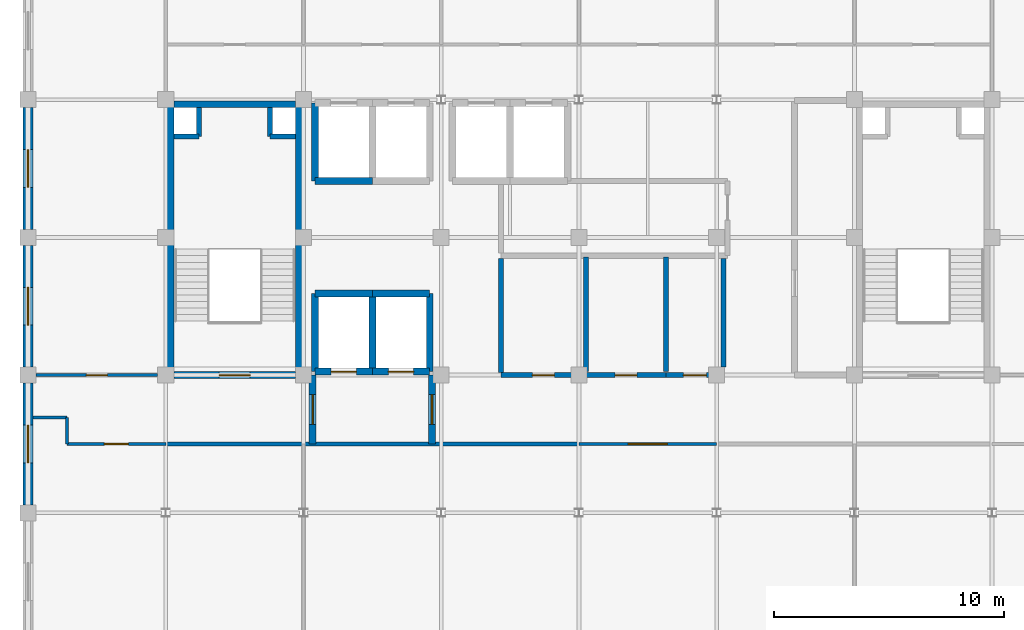
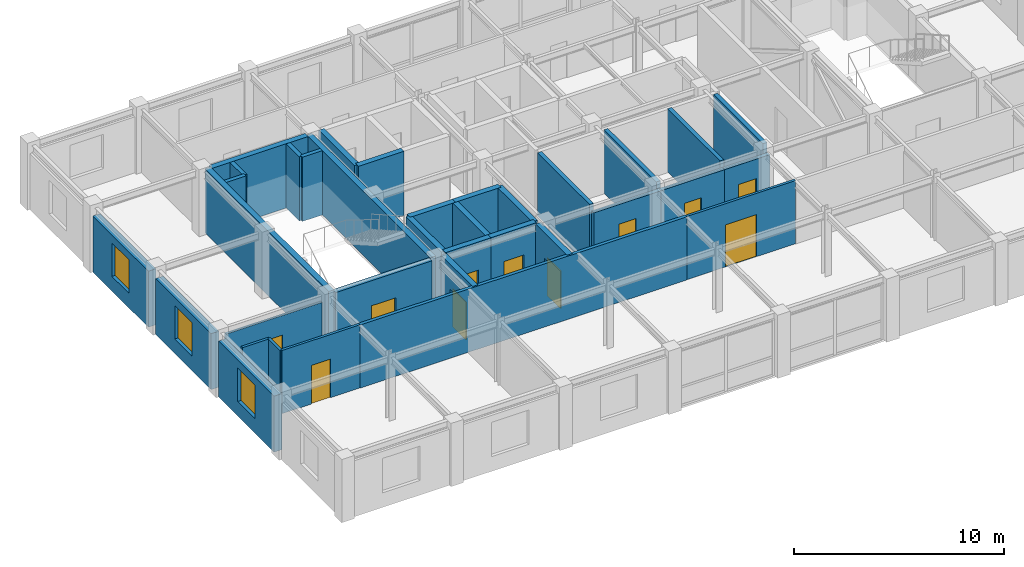
# One storey, part 9 of 13: 35 walls, 11 doors, 3 windows, 14 openings.
"""IFC4 building model written with IfcOpenShell, lengths in metres."""

from ifc_helpers import new_model, si_unit, direction, frame, frame_2d, origin, place, context, subcontext, project, spatial, rectangle, extrude, material, layer, layer_set, type_object, element, fill, save


model = new_model("IFC4")

# Units and contexts
model_context = context("Model", 3, precision=1e-05, world=origin(), true_north=direction((0.0, 1.0)))
body_context = subcontext(model_context, "Body", "Model", "MODEL_VIEW")
ifc_project = project(units=[si_unit("LENGTHUNIT", "METRE"), si_unit("AREAUNIT", "SQUARE_METRE"), si_unit("VOLUMEUNIT", "CUBIC_METRE"), si_unit("PLANEANGLEUNIT", "RADIAN"), si_unit("MASSUNIT", "GRAM", prefix="KILO")], contexts=[model_context])

# Site, building, storey
site_placement = place(None, origin())
site = spatial("IfcSite", under=ifc_project, at=site_placement, CompositionType="ELEMENT")
building_placement = place(site_placement, origin())
building = spatial("IfcBuilding", under=site, at=building_placement, Name="Zlatovratsky Civic Hall", CompositionType="ELEMENT")
storey_placement = place(building_placement, frame((0.0, 0.0, 48.300048828125)))
storey = spatial("IfcBuildingStorey", under=building, at=storey_placement, Name="L12", CompositionType="ELEMENT", Elevation=48.300048828125)

# Wall
ifc_material_1 = material(Name="Acoustic ceramic blockwork", Category="masonry")
ifc_layer_1 = layer(ifc_material_1, 0.179931640625)
ifc_layer_set_1 = layer_set([ifc_layer_1], Name="Acoustic ceramic blockwork")
wall_type_1 = type_object("IfcWallType", Name="Wall_AcousticChamberPartition_180", PredefinedType="PARTITIONING", material=ifc_layer_set_1)
wall_1_placement = place(storey_placement, frame((66.0, 81.0, 0.0), z_axis=(0.0, 0.0, 1.0), x_axis=(1.0, 0.0, 0.0)))
element("IfcWall", 1, at=wall_1_placement, inside=storey, type_object=wall_type_1, Name="WL-6598", PredefinedType="PARTITIONING", context=body_context, shape_type="SweptSolid", body=[
    extrude(rectangle(XDim=18.0, YDim=0.179931640625, at=frame_2d((9.0, 0.0))), origin(), (0.0, 0.0, 1.0), 3.679931640625),
])

# Wall, opening, door
ifc_material_2 = material(Name="Fire-rated gypsum board framing", Category="gypsum")
ifc_layer_2 = layer(ifc_material_2, 0.139892578125)
ifc_layer_set_2 = layer_set([ifc_layer_2], Name="Fire-rated gypsum board framing")
wall_type_2 = type_object("IfcWallType", Name="Wall_OfficePartition_140", PredefinedType="PARTITIONING", material=ifc_layer_set_2)
wall_2_placement = place(storey_placement, frame((61.699951171875, 81.0, 0.0), z_axis=(0.0, 0.0, 1.0), x_axis=(1.0, 0.0, 0.0)))
wall_2 = element("IfcWall", 2, at=wall_2_placement, inside=storey, type_object=wall_type_2, Name="WL-6576", PredefinedType="PARTITIONING", context=body_context, shape_type="SweptSolid", body=[
    extrude(rectangle(XDim=4.300048828125, YDim=0.139892578125, at=frame_2d((2.14990234375, 0.0))), origin(), (0.0, 0.0, 1.0), 3.679931640625),
])
opening_1_placement = place(wall_2_placement, frame((1.625, 0.0, 0.0)))
opening_1 = element("IfcOpeningElement", 3, at=opening_1_placement, cuts=wall_2, Name="Opening D-24", PredefinedType="OPENING", context=body_context, shape_type="SweptSolid", body=[
    extrude(rectangle(XDim=1.050048828125, YDim=2.25, at=frame_2d((0.52490234375, 1.125))), frame((0.0, 0.0849609375, 0.0), z_axis=(0.0, -1.0, 0.0), x_axis=(1.0, 0.0, 0.0)), (0.0, 0.0, 1.0), 0.169677734375),
])
ifc_material_3 = material(Name="Solid oak joinery in steel frame", Category="steel")
door_type_1 = type_object("IfcDoorType", Name="Door_DirectorateOffice_1050x2250", OperationType="NOTDEFINED", PredefinedType="DOOR", material=ifc_material_3)
door_1_placement = place(opening_1_placement, origin())
door_1 = element("IfcDoor", 4, at=door_1_placement, inside=storey, type_object=door_type_1, Name="DR-5474", OperationType="SINGLE_SWING_LEFT", OverallHeight=2.25, OverallWidth=1.050048828125, PredefinedType="DOOR", context=body_context, shape_type="SweptSolid", body=[
    extrude(rectangle(XDim=1.050048828125, YDim=2.25, at=frame_2d((0.52490234375, 1.125))), frame((0.0, 0.02490234375, 0.0), z_axis=(0.0, -1.0, 0.0), x_axis=(1.0, 0.0, 0.0)), (0.0, 0.0, 1.0), 0.050048828125),
])
fill(opening_1, door_1)

wall_3_placement = place(storey_placement, frame((84.0, 81.0, 0.0), z_axis=(0.0, 0.0, 1.0), x_axis=(1.0, 0.0, 0.0)))
wall_3 = element("IfcWall", 5, at=wall_3_placement, inside=storey, type_object=wall_type_2, Name="WL-6577", PredefinedType="PARTITIONING", context=body_context, shape_type="SweptSolid", body=[
    extrude(rectangle(XDim=6.0, YDim=0.139892578125, at=frame_2d((3.0, 0.0))), origin(), (0.0, 0.0, 1.0), 3.679931640625),
])
opening_2_placement = place(wall_3_placement, frame((2.14990234375, 0.0, 0.0)))
opening_2 = element("IfcOpeningElement", 6, at=opening_2_placement, cuts=wall_3, Name="Opening D-26", PredefinedType="OPENING", context=body_context, shape_type="SweptSolid", body=[
    extrude(rectangle(XDim=1.699951171875, YDim=2.449951171875, at=frame_2d((0.85009765625, 1.22509765625))), frame((0.0, 0.0849609375, 0.0), z_axis=(0.0, -1.0, 0.0), x_axis=(1.0, 0.0, 0.0)), (0.0, 0.0, 1.0), 0.169677734375),
])
door_type_2 = type_object("IfcDoorType", Name="Door_CommissionBoardroom_1700x2450", OperationType="DOUBLE_DOOR_SINGLE_SWING", PredefinedType="DOOR", material=ifc_material_3)
door_2_placement = place(opening_2_placement, origin())
door_2 = element("IfcDoor", 7, at=door_2_placement, inside=storey, type_object=door_type_2, Name="DR-5475", OperationType="DOUBLE_DOOR_SINGLE_SWING", OverallHeight=2.449951171875, OverallWidth=1.699951171875, PredefinedType="DOOR", context=body_context, shape_type="SweptSolid", body=[
    extrude(rectangle(XDim=1.699951171875, YDim=2.449951171875, at=frame_2d((0.85009765625, 1.22509765625))), frame((0.0, 0.02490234375, 0.0), z_axis=(0.0, -1.0, 0.0), x_axis=(1.0, 0.0, 0.0)), (0.0, 0.0, 1.0), 0.050048828125),
])
fill(opening_2, door_2)

wall_4_placement = place(storey_placement, frame((60.35009765625, 84.0, 0.0), z_axis=(0.0, 0.0, 1.0), x_axis=(1.0, 0.0, 0.0)))
wall_4 = element("IfcWall", 8, at=wall_4_placement, inside=storey, type_object=wall_type_2, Name="WL-6579", PredefinedType="PARTITIONING", context=body_context, shape_type="SweptSolid", body=[
    extrude(rectangle(XDim=5.2998046875, YDim=0.139892578125, at=frame_2d((2.64990234375, 0.0))), origin(), (0.0, 0.0, 1.0), 3.287841796875),
])
opening_3_placement = place(wall_4_placement, frame((2.18994140625, 0.0, 0.0)))
opening_3 = element("IfcOpeningElement", 9, at=opening_3_placement, cuts=wall_4, Name="Opening D-23", PredefinedType="OPENING", context=body_context, shape_type="SweptSolid", body=[
    extrude(rectangle(XDim=0.919921875, YDim=2.14990234375, at=frame_2d((0.4599609375, 1.074951171875))), frame((0.0, 0.0849609375, 0.0), z_axis=(0.0, -1.0, 0.0), x_axis=(1.0, 0.0, 0.0)), (0.0, 0.0, 1.0), 0.169677734375),
])
door_type_3 = type_object("IfcDoorType", Name="Door_OfficeStandard_920x2150", OperationType="NOTDEFINED", PredefinedType="DOOR", material=ifc_material_3)
door_3_placement = place(opening_3_placement, origin())
door_3 = element("IfcDoor", 10, at=door_3_placement, inside=storey, type_object=door_type_3, Name="DR-5477", OperationType="SINGLE_SWING_LEFT", OverallHeight=2.14990234375, OverallWidth=0.919921875, PredefinedType="DOOR", context=body_context, shape_type="SweptSolid", body=[
    extrude(rectangle(XDim=0.919921875, YDim=2.14990234375, at=frame_2d((0.4599609375, 1.074951171875))), frame((0.0, 0.02490234375, 0.0), z_axis=(0.0, -1.0, 0.0), x_axis=(1.0, 0.0, 0.0)), (0.0, 0.0, 1.0), 0.050048828125),
])
fill(opening_3, door_3)

# Walls
wall_5_placement = place(storey_placement, frame((61.699951171875, 81.0, 0.0), z_axis=(0.0, 0.0, 1.0), x_axis=(0.0, 1.0, 0.0)))
element("IfcWall", 11, at=wall_5_placement, inside=storey, type_object=wall_type_2, Name="WL-6600", PredefinedType="PARTITIONING", context=body_context, shape_type="SweptSolid", body=[
    extrude(rectangle(XDim=1.14990234375, YDim=0.139892578125, at=frame_2d((0.574951171875, 0.0))), origin(), (0.0, 0.0, 1.0), 3.679931640625),
])
wall_6_placement = place(storey_placement, frame((61.699951171875, 82.14990234375, 0.0), z_axis=(0.0, 0.0, 1.0), x_axis=(-1.0, 0.0, 0.0)))
element("IfcWall", 12, at=wall_6_placement, inside=storey, type_object=wall_type_2, Name="WL-6601", PredefinedType="PARTITIONING", context=body_context, shape_type="SweptSolid", body=[
    extrude(rectangle(XDim=1.489990234375, YDim=0.139892578125, at=frame_2d((0.7451171875, 0.0))), origin(), (0.0, 0.0, 1.0), 3.679931640625),
])
ifc_layer_3 = layer(ifc_material_1, 0.219970703125)
ifc_layer_set_3 = layer_set([ifc_layer_3], Name="Acoustic ceramic blockwork")
wall_type_3 = type_object("IfcWallType", Name="Wall_SanitaryWetCore_220", PredefinedType="PARTITIONING", material=ifc_layer_set_3)
wall_7_placement = place(storey_placement, frame((67.449951171875, 94.39990234375, 0.0), z_axis=(0.0, 0.0, 1.0), x_axis=(0.0, 1.0, 0.0)))
element("IfcWall", 13, at=wall_7_placement, inside=storey, type_object=wall_type_3, Name="WL-5101", PredefinedType="PARTITIONING", context=body_context, shape_type="SweptSolid", body=[
    extrude(rectangle(XDim=1.25, YDim=0.219970703125, at=frame_2d((0.625, 0.0))), origin(), (0.0, 0.0, 1.0), 3.739990234375),
])
wall_8_placement = place(storey_placement, frame((66.35009765625, 94.39990234375, 0.0), z_axis=(0.0, 0.0, 1.0), x_axis=(1.0, 0.0, 0.0)))
element("IfcWall", 14, at=wall_8_placement, inside=storey, type_object=wall_type_3, Name="WL-5102", PredefinedType="PARTITIONING", context=body_context, shape_type="SweptSolid", body=[
    extrude(rectangle(XDim=1.099853515625, YDim=0.219970703125, at=frame_2d((0.5498046875, 0.0))), origin(), (0.0, 0.0, 1.0), 3.739990234375),
])
wall_9_placement = place(storey_placement, frame((70.550048828125, 94.39990234375, 0.0), z_axis=(0.0, 0.0, 1.0), x_axis=(0.0, 1.0, 0.0)))
element("IfcWall", 15, at=wall_9_placement, inside=storey, type_object=wall_type_3, Name="WL-5103", PredefinedType="PARTITIONING", context=body_context, shape_type="SweptSolid", body=[
    extrude(rectangle(XDim=1.25, YDim=0.219970703125, at=frame_2d((0.625, 0.0))), origin(), (0.0, 0.0, 1.0), 3.739990234375),
])
wall_10_placement = place(storey_placement, frame((70.550048828125, 94.39990234375, 0.0), z_axis=(0.0, 0.0, 1.0), x_axis=(1.0, 0.0, 0.0)))
element("IfcWall", 16, at=wall_10_placement, inside=storey, type_object=wall_type_3, Name="WL-5104", PredefinedType="PARTITIONING", context=body_context, shape_type="SweptSolid", body=[
    extrude(rectangle(XDim=1.099853515625, YDim=0.219970703125, at=frame_2d((0.5498046875, 0.0))), origin(), (0.0, 0.0, 1.0), 3.739990234375),
])

# Wall, opening, door
wall_11_placement = place(storey_placement, frame((80.60009765625, 84.0, 0.0), z_axis=(0.0, 0.0, 1.0), x_axis=(1.0, 0.0, 0.0)))
wall_11 = element("IfcWall", 17, at=wall_11_placement, inside=storey, type_object=wall_type_3, Name="WL-6569", PredefinedType="PARTITIONING", context=body_context, shape_type="SweptSolid", body=[
    extrude(rectangle(XDim=3.699951171875, YDim=0.219970703125, at=frame_2d((1.85009765625, 0.0))), origin(), (0.0, 0.0, 1.0), 3.287841796875),
])
opening_4_placement = place(wall_11_placement, frame((1.375, 0.0, 0.0)))
opening_4 = element("IfcOpeningElement", 18, at=opening_4_placement, cuts=wall_11, Name="Opening D-21", PredefinedType="OPENING", context=body_context, shape_type="SweptSolid", body=[
    extrude(rectangle(XDim=0.949951171875, YDim=2.14990234375, at=frame_2d((0.47509765625, 1.074951171875))), frame((0.0, 0.125, 0.0), z_axis=(0.0, -1.0, 0.0), x_axis=(1.0, 0.0, 0.0)), (0.0, 0.0, 1.0), 0.249755859375),
])
door_type_4 = type_object("IfcDoorType", Name="Door_MensWC_950x2150", OperationType="NOTDEFINED", PredefinedType="DOOR", material=ifc_material_3)
door_4_placement = place(opening_4_placement, origin())
door_4 = element("IfcDoor", 19, at=door_4_placement, inside=storey, type_object=door_type_4, Name="DR-5470", OperationType="SINGLE_SWING_LEFT", OverallHeight=2.14990234375, OverallWidth=0.949951171875, PredefinedType="DOOR", context=body_context, shape_type="SweptSolid", body=[
    extrude(rectangle(XDim=0.949951171875, YDim=2.14990234375, at=frame_2d((0.47509765625, 1.074951171875))), frame((0.0, 0.02490234375, 0.0), z_axis=(0.0, -1.0, 0.0), x_axis=(1.0, 0.0, 0.0)), (0.0, 0.0, 1.0), 0.050048828125),
])
fill(opening_4, door_4)

wall_12_placement = place(storey_placement, frame((84.300048828125, 84.0, 0.0), z_axis=(0.0, 0.0, 1.0), x_axis=(1.0, 0.0, 0.0)))
wall_12 = element("IfcWall", 20, at=wall_12_placement, inside=storey, type_object=wall_type_3, Name="WL-6570", PredefinedType="PARTITIONING", context=body_context, shape_type="SweptSolid", body=[
    extrude(rectangle(XDim=3.5, YDim=0.219970703125, at=frame_2d((1.75, 0.0))), origin(), (0.0, 0.0, 1.0), 3.287841796875),
])
opening_5_placement = place(wall_12_placement, frame((1.27490234375, 0.0, 0.0)))
opening_5 = element("IfcOpeningElement", 21, at=opening_5_placement, cuts=wall_12, Name="Opening D-22", PredefinedType="OPENING", context=body_context, shape_type="SweptSolid", body=[
    extrude(rectangle(XDim=0.949951171875, YDim=2.10009765625, at=frame_2d((0.47509765625, 1.050048828125))), frame((0.0, 0.125, 0.0), z_axis=(0.0, -1.0, 0.0), x_axis=(1.0, 0.0, 0.0)), (0.0, 0.0, 1.0), 0.249755859375),
])
door_type_5 = type_object("IfcDoorType", Name="Door_WomensWC_950x2100", OperationType="NOTDEFINED", PredefinedType="DOOR", material=ifc_material_3)
door_5_placement = place(opening_5_placement, origin())
door_5 = element("IfcDoor", 22, at=door_5_placement, inside=storey, type_object=door_type_5, Name="DR-5471", OperationType="SINGLE_SWING_RIGHT", OverallHeight=2.10009765625, OverallWidth=0.949951171875, PredefinedType="DOOR", context=body_context, shape_type="SweptSolid", body=[
    extrude(rectangle(XDim=0.949951171875, YDim=2.10009765625, at=frame_2d((0.47509765625, 1.050048828125))), frame((0.0, 0.02490234375, 0.0), z_axis=(0.0, -1.0, 0.0), x_axis=(1.0, 0.0, 0.0)), (0.0, 0.0, 1.0), 0.050048828125),
])
fill(opening_5, door_5)

wall_13_placement = place(storey_placement, frame((87.800048828125, 84.0, 0.0), z_axis=(0.0, 0.0, 1.0), x_axis=(1.0, 0.0, 0.0)))
wall_13 = element("IfcWall", 23, at=wall_13_placement, inside=storey, type_object=wall_type_3, Name="WL-6571", PredefinedType="PARTITIONING", context=body_context, shape_type="SweptSolid", body=[
    extrude(rectangle(XDim=2.5, YDim=0.219970703125, at=frame_2d((1.25, 0.0))), origin(), (0.0, 0.0, 1.0), 3.287841796875),
])
opening_6_placement = place(wall_13_placement, frame((0.75, 0.0, 0.0)))
opening_6 = element("IfcOpeningElement", 24, at=opening_6_placement, cuts=wall_13, Name="Opening D-20", PredefinedType="OPENING", context=body_context, shape_type="SweptSolid", body=[
    extrude(rectangle(XDim=1.0, YDim=2.14990234375, at=frame_2d((0.5, 1.074951171875))), frame((0.0, 0.125, 0.0), z_axis=(0.0, -1.0, 0.0), x_axis=(1.0, 0.0, 0.0)), (0.0, 0.0, 1.0), 0.249755859375),
])
door_type_6 = type_object("IfcDoorType", Name="Door_AccessibleWC_1000x2150", OperationType="NOTDEFINED", PredefinedType="DOOR", material=ifc_material_3)
door_6_placement = place(opening_6_placement, origin())
door_6 = element("IfcDoor", 25, at=door_6_placement, inside=storey, type_object=door_type_6, Name="DR-5472", OperationType="SINGLE_SWING_LEFT", OverallHeight=2.14990234375, OverallWidth=1.0, PredefinedType="DOOR", context=body_context, shape_type="SweptSolid", body=[
    extrude(rectangle(XDim=1.0, YDim=2.14990234375, at=frame_2d((0.5, 1.074951171875))), frame((0.0, 0.02490234375, 0.0), z_axis=(0.0, -1.0, 0.0), x_axis=(1.0, 0.0, 0.0)), (0.0, 0.0, 1.0), 0.050048828125),
])
fill(opening_6, door_6)

# Walls
for number, where, z_axis, x_axis, name in (
    (26, (84.300048828125, 84.14990234375, 0.0), (0.0, 0.0, 1.0), (0.0, 1.0, 0.0), "WL-6572"),
    (27, (87.800048828125, 84.14990234375, 0.0), (0.0, 0.0, 1.0), (0.0, 1.0, 0.0), "WL-6573"),
):
    element("IfcWall", number, at=place(storey_placement, frame(where, z_axis=z_axis, x_axis=x_axis)), inside=storey, type_object=wall_type_3, Name=name, PredefinedType="PARTITIONING", context=body_context, shape_type="SweptSolid", body=[
        extrude(rectangle(XDim=5.0, YDim=0.219970703125, at=frame_2d((2.5, 0.0))), origin(), (0.0, 0.0, 1.0), 3.679931640625),
    ])
wall_14_placement = place(storey_placement, frame((80.60009765625, 84.110107421875, 0.0), z_axis=(0.0, 0.0, 1.0), x_axis=(0.0, 1.0, 0.0)))
element("IfcWall", 28, at=wall_14_placement, inside=storey, type_object=wall_type_3, Name="WL-6594", PredefinedType="PARTITIONING", context=body_context, shape_type="SweptSolid", body=[
    extrude(rectangle(XDim=4.97998046875, YDim=0.219970703125, at=frame_2d((2.489990234375, 0.0))), origin(), (0.0, 0.0, 1.0), 3.679931640625),
])
wall_15_placement = place(storey_placement, frame((90.300048828125, 84.360107421875, 0.0), z_axis=(0.0, 0.0, 1.0), x_axis=(0.0, 1.0, 0.0)))
element("IfcWall", 29, at=wall_15_placement, inside=storey, type_object=wall_type_3, Name="WL-6595", PredefinedType="PARTITIONING", context=body_context, shape_type="SweptSolid", body=[
    extrude(rectangle(XDim=4.72998046875, YDim=0.219970703125, at=frame_2d((2.364990234375, 0.0))), origin(), (0.0, 0.0, 1.0), 3.679931640625),
])

# Wall, opening, door
ifc_material_4 = material(Name="Concrete C35/45 (B40)", Category="concrete")
ifc_layer_4 = layer(ifc_material_4, 0.300048828125)
ifc_layer_set_4 = layer_set([ifc_layer_4], Name="Concrete C35/45 (B40)")
wall_type_4 = type_object("IfcWallType", Name="Wall_StairAndLiftShaft_300", PredefinedType="SHEAR", material=ifc_layer_set_4)
wall_16_placement = place(storey_placement, frame((66.35009765625, 84.0, 0.0), z_axis=(0.0, 0.0, 1.0), x_axis=(1.0, 0.0, 0.0)))
wall_16 = element("IfcWall", 30, at=wall_16_placement, inside=storey, type_object=wall_type_4, Name="WL-5097", PredefinedType="SHEAR", context=body_context, shape_type="SweptSolid", body=[
    extrude(rectangle(XDim=5.2998046875, YDim=0.300048828125, at=frame_2d((2.64990234375, 0.0))), origin(), (0.0, 0.0, 1.0), 3.659912109375),
])
opening_7_placement = place(wall_16_placement, frame((1.97509765625, 0.0, 0.0)))
opening_7 = element("IfcOpeningElement", 31, at=opening_7_placement, cuts=wall_16, Name="Opening D-17", PredefinedType="OPENING", context=body_context, shape_type="SweptSolid", body=[
    extrude(rectangle(XDim=1.35009765625, YDim=2.199951171875, at=frame_2d((0.675048828125, 1.10009765625))), frame((0.0, 0.1650390625, 0.0), z_axis=(0.0, -1.0, 0.0), x_axis=(1.0, 0.0, 0.0)), (0.0, 0.0, 1.0), 0.329833984375),
])
ifc_material_5 = material(Name="Insulated painted fire-rated steel leaf", Category="steel")
door_type_7 = type_object("IfcDoorType", Name="Door_StairwellFireTower_1350x2200", OperationType="NOTDEFINED", PredefinedType="DOOR", material=ifc_material_5)
door_7_placement = place(opening_7_placement, origin())
door_7 = element("IfcDoor", 32, at=door_7_placement, inside=storey, type_object=door_type_7, Name="DR-5013", OperationType="SINGLE_SWING_LEFT", OverallHeight=2.199951171875, OverallWidth=1.35009765625, PredefinedType="DOOR", context=body_context, shape_type="SweptSolid", body=[
    extrude(rectangle(XDim=1.35009765625, YDim=2.199951171875, at=frame_2d((0.675048828125, 1.10009765625))), frame((0.0, 0.02490234375, 0.0), z_axis=(0.0, -1.0, 0.0), x_axis=(1.0, 0.0, 0.0)), (0.0, 0.0, 1.0), 0.050048828125),
])
fill(opening_7, door_7)

# Walls
wall_17_placement = place(storey_placement, frame((66.35009765625, 95.800048828125, 0.0), z_axis=(0.0, 0.0, 1.0), x_axis=(1.0, 0.0, 0.0)))
element("IfcWall", 33, at=wall_17_placement, inside=storey, type_object=wall_type_4, Name="WL-5098", PredefinedType="SHEAR", context=body_context, shape_type="SweptSolid", body=[
    extrude(rectangle(XDim=5.2998046875, YDim=0.300048828125, at=frame_2d((2.64990234375, 0.0))), origin(), (0.0, 0.0, 1.0), 3.739990234375),
])
for number, where, z_axis, x_axis, name in (
    (34, (66.199951171875, 84.0, 0.0), (0.0, 0.0, 1.0), (0.0, 1.0, 0.0), "WL-5099"),
    (35, (71.800048828125, 84.0, 0.0), (0.0, 0.0, 1.0), (0.0, 1.0, 0.0), "WL-5100"),
):
    element("IfcWall", number, at=place(storey_placement, frame(where, z_axis=z_axis, x_axis=x_axis)), inside=storey, type_object=wall_type_4, Name=name, PredefinedType="SHEAR", context=body_context, shape_type="SweptSolid", body=[
        extrude(rectangle(XDim=11.800048828125, YDim=0.300048828125, at=frame_2d((5.89990234375, 0.0))), origin(), (0.0, 0.0, 1.0), 3.739990234375),
    ])

# Wall, opening, door
wall_18_placement = place(storey_placement, frame((72.5, 84.14990234375, 0.0), z_axis=(0.0, 0.0, 1.0), x_axis=(1.0, 0.0, 0.0)))
wall_18 = element("IfcWall", 36, at=wall_18_placement, inside=storey, type_object=wall_type_4, Name="WL-5529", PredefinedType="SHEAR", context=body_context, shape_type="SweptSolid", body=[
    extrude(rectangle(XDim=2.5, YDim=0.300048828125, at=frame_2d((1.25, 0.0))), origin(), (0.0, 0.0, 1.0), 3.739990234375),
])
opening_8_placement = place(wall_18_placement, frame((0.699951171875, 0.0, 0.0)))
opening_8 = element("IfcOpeningElement", 37, at=opening_8_placement, cuts=wall_18, Name="Opening LD-01", PredefinedType="OPENING", context=body_context, shape_type="SweptSolid", body=[
    extrude(rectangle(XDim=1.10009765625, YDim=2.10009765625, at=frame_2d((0.550048828125, 1.050048828125))), frame((0.0, 0.1650390625, 0.0), z_axis=(0.0, -1.0, 0.0), x_axis=(1.0, 0.0, 0.0)), (0.0, 0.0, 1.0), 0.329833984375),
])
ifc_material_6 = material(Name="Brushed stainless steel AISI 304", Category="steel")
door_type_8 = type_object("IfcDoorType", Name="Door_LiftLandingFire_1100x2100", OperationType="DOUBLE_DOOR_SLIDING", PredefinedType="DOOR", material=ifc_material_6)
door_8_placement = place(opening_8_placement, origin())
door_8 = element("IfcDoor", 38, at=door_8_placement, inside=storey, type_object=door_type_8, Name="Lift landing door LD-5071", OperationType="DOUBLE_DOOR_SLIDING", OverallHeight=2.10009765625, OverallWidth=1.10009765625, PredefinedType="DOOR", context=body_context, shape_type="SweptSolid", body=[
    extrude(rectangle(XDim=1.10009765625, YDim=2.10009765625, at=frame_2d((0.550048828125, 1.050048828125))), frame((0.0, 0.02490234375, 0.0), z_axis=(0.0, -1.0, 0.0), x_axis=(1.0, 0.0, 0.0)), (0.0, 0.0, 1.0), 0.050048828125),
])
fill(opening_8, door_8)

# Walls
wall_19_placement = place(storey_placement, frame((72.5, 87.550048828125, 0.0), z_axis=(0.0, 0.0, 1.0), x_axis=(1.0, 0.0, 0.0)))
element("IfcWall", 39, at=wall_19_placement, inside=storey, type_object=wall_type_4, Name="WL-5530", PredefinedType="SHEAR", context=body_context, shape_type="SweptSolid", body=[
    extrude(rectangle(XDim=2.5, YDim=0.300048828125, at=frame_2d((1.25, 0.0))), origin(), (0.0, 0.0, 1.0), 3.739990234375),
])
wall_20_placement = place(storey_placement, frame((72.5, 84.14990234375, 0.0), z_axis=(0.0, 0.0, 1.0), x_axis=(0.0, 1.0, 0.0)))
element("IfcWall", 40, at=wall_20_placement, inside=storey, type_object=wall_type_4, Name="WL-5531", PredefinedType="SHEAR", context=body_context, shape_type="SweptSolid", body=[
    extrude(rectangle(XDim=3.400146484375, YDim=0.300048828125, at=frame_2d((1.7001953125, 0.0))), origin(), (0.0, 0.0, 1.0), 3.739990234375),
])

# Wall, opening, door
wall_21_placement = place(storey_placement, frame((75.0, 84.14990234375, 0.0), z_axis=(0.0, 0.0, 1.0), x_axis=(1.0, 0.0, 0.0)))
wall_21 = element("IfcWall", 41, at=wall_21_placement, inside=storey, type_object=wall_type_4, Name="WL-5598", PredefinedType="SHEAR", context=body_context, shape_type="SweptSolid", body=[
    extrude(rectangle(XDim=2.5, YDim=0.300048828125, at=frame_2d((1.25, 0.0))), origin(), (0.0, 0.0, 1.0), 3.739990234375),
])
opening_9_placement = place(wall_21_placement, frame((0.699951171875, 0.0, 0.0)))
opening_9 = element("IfcOpeningElement", 42, at=opening_9_placement, cuts=wall_21, Name="Opening LD-01", PredefinedType="OPENING", context=body_context, shape_type="SweptSolid", body=[
    extrude(rectangle(XDim=1.10009765625, YDim=2.10009765625, at=frame_2d((0.550048828125, 1.050048828125))), frame((0.0, 0.1650390625, 0.0), z_axis=(0.0, -1.0, 0.0), x_axis=(1.0, 0.0, 0.0)), (0.0, 0.0, 1.0), 0.329833984375),
])
door_9_placement = place(opening_9_placement, origin())
door_9 = element("IfcDoor", 43, at=door_9_placement, inside=storey, type_object=door_type_8, Name="Lift landing door LD-5090", OperationType="DOUBLE_DOOR_SLIDING", OverallHeight=2.10009765625, OverallWidth=1.10009765625, PredefinedType="DOOR", context=body_context, shape_type="SweptSolid", body=[
    extrude(rectangle(XDim=1.10009765625, YDim=2.10009765625, at=frame_2d((0.550048828125, 1.050048828125))), frame((0.0, 0.02490234375, 0.0), z_axis=(0.0, -1.0, 0.0), x_axis=(1.0, 0.0, 0.0)), (0.0, 0.0, 1.0), 0.050048828125),
])
fill(opening_9, door_9)

# Walls
wall_22_placement = place(storey_placement, frame((75.0, 87.550048828125, 0.0), z_axis=(0.0, 0.0, 1.0), x_axis=(1.0, 0.0, 0.0)))
element("IfcWall", 44, at=wall_22_placement, inside=storey, type_object=wall_type_4, Name="WL-5599", PredefinedType="SHEAR", context=body_context, shape_type="SweptSolid", body=[
    extrude(rectangle(XDim=2.5, YDim=0.300048828125, at=frame_2d((1.25, 0.0))), origin(), (0.0, 0.0, 1.0), 3.739990234375),
])
for number, where, z_axis, x_axis, name in (
    (45, (75.0, 84.14990234375, 0.0), (0.0, 0.0, 1.0), (0.0, 1.0, 0.0), "WL-5600"),
    (46, (77.5, 84.14990234375, 0.0), (0.0, 0.0, 1.0), (0.0, 1.0, 0.0), "WL-5601"),
):
    element("IfcWall", number, at=place(storey_placement, frame(where, z_axis=z_axis, x_axis=x_axis)), inside=storey, type_object=wall_type_4, Name=name, PredefinedType="SHEAR", context=body_context, shape_type="SweptSolid", body=[
        extrude(rectangle(XDim=3.400146484375, YDim=0.300048828125, at=frame_2d((1.7001953125, 0.0))), origin(), (0.0, 0.0, 1.0), 3.739990234375),
    ])
wall_23_placement = place(storey_placement, frame((72.5, 92.449951171875, 0.0), z_axis=(0.0, 0.0, 1.0), x_axis=(1.0, 0.0, 0.0)))
element("IfcWall", 47, at=wall_23_placement, inside=storey, type_object=wall_type_4, Name="WL-5663", PredefinedType="SHEAR", context=body_context, shape_type="SweptSolid", body=[
    extrude(rectangle(XDim=2.5, YDim=0.300048828125, at=frame_2d((1.25, 0.0))), origin(), (0.0, 0.0, 1.0), 3.739990234375),
])
wall_24_placement = place(storey_placement, frame((72.5, 92.449951171875, 0.0), z_axis=(0.0, 0.0, 1.0), x_axis=(0.0, 1.0, 0.0)))
element("IfcWall", 48, at=wall_24_placement, inside=storey, type_object=wall_type_4, Name="WL-5664", PredefinedType="SHEAR", context=body_context, shape_type="SweptSolid", body=[
    extrude(rectangle(XDim=3.400146484375, YDim=0.300048828125, at=frame_2d((1.7001953125, 0.0))), origin(), (0.0, 0.0, 1.0), 3.739990234375),
])

# Wall, opening, door
wall_25_placement = place(storey_placement, frame((72.39990234375, 81.0, 0.0), z_axis=(0.0, 0.0, 1.0), x_axis=(0.0, 1.0, 0.0)))
wall_25 = element("IfcWall", 49, at=wall_25_placement, inside=storey, type_object=wall_type_4, Name="WL-6567", PredefinedType="SHEAR", context=body_context, shape_type="SweptSolid", body=[
    extrude(rectangle(XDim=3.0, YDim=0.300048828125, at=frame_2d((1.5, 0.0))), origin(), (0.0, 0.0, 1.0), 3.679931640625),
])
opening_10_placement = place(wall_25_placement, frame((0.85009765625, 0.0, 0.0)))
opening_10 = element("IfcOpeningElement", 50, at=opening_10_placement, cuts=wall_25, Name="Opening D-18", PredefinedType="OPENING", context=body_context, shape_type="SweptSolid", body=[
    extrude(rectangle(XDim=1.300048828125, YDim=2.199951171875, at=frame_2d((0.64990234375, 1.10009765625))), frame((0.0, 0.1650390625, 0.0), z_axis=(0.0, -1.0, 0.0), x_axis=(1.0, 0.0, 0.0)), (0.0, 0.0, 1.0), 0.329833984375),
])
door_type_9 = type_object("IfcDoorType", Name="Door_FireLobbyAirlock_1300x2200", OperationType="NOTDEFINED", PredefinedType="DOOR", material=ifc_material_5)
door_10_placement = place(opening_10_placement, origin())
door_10 = element("IfcDoor", 51, at=door_10_placement, inside=storey, type_object=door_type_9, Name="DR-5468", OperationType="SINGLE_SWING_RIGHT", OverallHeight=2.199951171875, OverallWidth=1.300048828125, PredefinedType="DOOR", context=body_context, shape_type="SweptSolid", body=[
    extrude(rectangle(XDim=1.300048828125, YDim=2.199951171875, at=frame_2d((0.64990234375, 1.10009765625))), frame((0.0, 0.02490234375, 0.0), z_axis=(0.0, -1.0, 0.0), x_axis=(1.0, 0.0, 0.0)), (0.0, 0.0, 1.0), 0.050048828125),
])
fill(opening_10, door_10)

wall_26_placement = place(storey_placement, frame((77.60009765625, 81.0, 0.0), z_axis=(0.0, 0.0, 1.0), x_axis=(0.0, 1.0, 0.0)))
wall_26 = element("IfcWall", 52, at=wall_26_placement, inside=storey, type_object=wall_type_4, Name="WL-6568", PredefinedType="SHEAR", context=body_context, shape_type="SweptSolid", body=[
    extrude(rectangle(XDim=3.0, YDim=0.300048828125, at=frame_2d((1.5, 0.0))), origin(), (0.0, 0.0, 1.0), 3.679931640625),
])
opening_11_placement = place(wall_26_placement, frame((0.85009765625, 0.0, 0.0)))
opening_11 = element("IfcOpeningElement", 53, at=opening_11_placement, cuts=wall_26, Name="Opening D-18", PredefinedType="OPENING", context=body_context, shape_type="SweptSolid", body=[
    extrude(rectangle(XDim=1.300048828125, YDim=2.199951171875, at=frame_2d((0.64990234375, 1.10009765625))), frame((0.0, 0.1650390625, 0.0), z_axis=(0.0, -1.0, 0.0), x_axis=(1.0, 0.0, 0.0)), (0.0, 0.0, 1.0), 0.329833984375),
])
door_11_placement = place(opening_11_placement, origin())
door_11 = element("IfcDoor", 54, at=door_11_placement, inside=storey, type_object=door_type_9, Name="DR-5469", OperationType="SINGLE_SWING_RIGHT", OverallHeight=2.199951171875, OverallWidth=1.300048828125, PredefinedType="DOOR", context=body_context, shape_type="SweptSolid", body=[
    extrude(rectangle(XDim=1.300048828125, YDim=2.199951171875, at=frame_2d((0.64990234375, 1.10009765625))), frame((0.0, 0.02490234375, 0.0), z_axis=(0.0, -1.0, 0.0), x_axis=(1.0, 0.0, 0.0)), (0.0, 0.0, 1.0), 0.050048828125),
])
fill(opening_11, door_11)

# Wall, opening, window
ifc_layer_5 = layer(ifc_material_1, 0.280029296875, Name="Backing")
ifc_material_7 = material(Name="Podolsk limestone ashlar", Category="masonry")
ifc_layer_6 = layer(ifc_material_7, 0.139892578125, Name="Finish")
ifc_layer_set_5 = layer_set([ifc_layer_5, ifc_layer_6], Name="Acoustic ceramic blockwork")
wall_type_5 = type_object("IfcWallType", Name="Wall_TowerLimestoneAshlar_420", PredefinedType="SOLIDWALL", material=ifc_layer_set_5)
wall_27_placement = place(storey_placement, frame((60.0, 78.35009765625, 0.0), z_axis=(0.0, 0.0, 1.0), x_axis=(0.0, 1.0, 0.0)))
wall_27 = element("IfcWall", 55, at=wall_27_placement, inside=storey, type_object=wall_type_5, Name="WL-0580", PredefinedType="SOLIDWALL", context=body_context, shape_type="SweptSolid", body=[
    extrude(rectangle(XDim=5.2998046875, YDim=0.419921875, at=frame_2d((2.64990234375, 0.0))), origin(), (0.0, 0.0, 1.0), 3.260009765625),
])
opening_12_placement = place(wall_27_placement, frame((1.824951171875, 0.0, 0.85009765625)))
opening_12 = element("IfcOpeningElement", 56, at=opening_12_placement, cuts=wall_27, Name="Opening WN-19", PredefinedType="OPENING", context=body_context, shape_type="SweptSolid", body=[
    extrude(rectangle(XDim=1.64990234375, YDim=1.949951171875, at=frame_2d((0.824951171875, 0.97509765625))), frame((0.0, 0.224853515625, 0.0), z_axis=(0.0, -1.0, 0.0), x_axis=(1.0, 0.0, 0.0)), (0.0, 0.0, 1.0), 0.44970703125),
])
ifc_material_8 = material(Name="Low-E laminated double glazing", Category="glass")
window_type = type_object("IfcWindowType", Name="Window_TowerTier2Flank_1650x1950", PartitioningType="SINGLE_PANEL", PredefinedType="WINDOW", material=ifc_material_8)
window_1_placement = place(opening_12_placement, origin())
window_1 = element("IfcWindow", 57, at=window_1_placement, inside=storey, type_object=window_type, Name="WN-0454", OverallHeight=1.949951171875, OverallWidth=1.64990234375, PartitioningType="SINGLE_PANEL", PredefinedType="WINDOW", context=body_context, shape_type="SweptSolid", body=[
    extrude(rectangle(XDim=1.64990234375, YDim=1.949951171875, at=frame_2d((0.824951171875, 0.97509765625))), frame((0.0, 0.030029296875, 0.0), z_axis=(0.0, -1.0, 0.0), x_axis=(1.0, 0.0, 0.0)), (0.0, 0.0, 1.0), 0.06005859375),
])
fill(opening_12, window_1)

wall_28_placement = place(storey_placement, frame((60.0, 84.35009765625, 0.0), z_axis=(0.0, 0.0, 1.0), x_axis=(0.0, 1.0, 0.0)))
wall_28 = element("IfcWall", 58, at=wall_28_placement, inside=storey, type_object=wall_type_5, Name="WL-0581", PredefinedType="SOLIDWALL", context=body_context, shape_type="SweptSolid", body=[
    extrude(rectangle(XDim=5.2998046875, YDim=0.419921875, at=frame_2d((2.64990234375, 0.0))), origin(), (0.0, 0.0, 1.0), 3.260009765625),
])
opening_13_placement = place(wall_28_placement, frame((1.824951171875, 0.0, 0.85009765625)))
opening_13 = element("IfcOpeningElement", 59, at=opening_13_placement, cuts=wall_28, Name="Opening WN-19", PredefinedType="OPENING", context=body_context, shape_type="SweptSolid", body=[
    extrude(rectangle(XDim=1.64990234375, YDim=1.949951171875, at=frame_2d((0.824951171875, 0.97509765625))), frame((0.0, 0.224853515625, 0.0), z_axis=(0.0, -1.0, 0.0), x_axis=(1.0, 0.0, 0.0)), (0.0, 0.0, 1.0), 0.44970703125),
])
window_2_placement = place(opening_13_placement, origin())
window_2 = element("IfcWindow", 60, at=window_2_placement, inside=storey, type_object=window_type, Name="WN-0455", OverallHeight=1.949951171875, OverallWidth=1.64990234375, PartitioningType="SINGLE_PANEL", PredefinedType="WINDOW", context=body_context, shape_type="SweptSolid", body=[
    extrude(rectangle(XDim=1.64990234375, YDim=1.949951171875, at=frame_2d((0.824951171875, 0.97509765625))), frame((0.0, 0.030029296875, 0.0), z_axis=(0.0, -1.0, 0.0), x_axis=(1.0, 0.0, 0.0)), (0.0, 0.0, 1.0), 0.06005859375),
])
fill(opening_13, window_2)

wall_29_placement = place(storey_placement, frame((60.0, 90.35009765625, 0.0), z_axis=(0.0, 0.0, 1.0), x_axis=(0.0, 1.0, 0.0)))
wall_29 = element("IfcWall", 61, at=wall_29_placement, inside=storey, type_object=wall_type_5, Name="WL-0582", PredefinedType="SOLIDWALL", context=body_context, shape_type="SweptSolid", body=[
    extrude(rectangle(XDim=5.2998046875, YDim=0.419921875, at=frame_2d((2.64990234375, 0.0))), origin(), (0.0, 0.0, 1.0), 3.260009765625),
])
opening_14_placement = place(wall_29_placement, frame((1.824951171875, 0.0, 0.85009765625)))
opening_14 = element("IfcOpeningElement", 62, at=opening_14_placement, cuts=wall_29, Name="Opening WN-19", PredefinedType="OPENING", context=body_context, shape_type="SweptSolid", body=[
    extrude(rectangle(XDim=1.64990234375, YDim=1.949951171875, at=frame_2d((0.824951171875, 0.97509765625))), frame((0.0, 0.224853515625, 0.0), z_axis=(0.0, -1.0, 0.0), x_axis=(1.0, 0.0, 0.0)), (0.0, 0.0, 1.0), 0.44970703125),
])
window_3_placement = place(opening_14_placement, origin())
window_3 = element("IfcWindow", 63, at=window_3_placement, inside=storey, type_object=window_type, Name="WN-0456", OverallHeight=1.949951171875, OverallWidth=1.64990234375, PartitioningType="SINGLE_PANEL", PredefinedType="WINDOW", context=body_context, shape_type="SweptSolid", body=[
    extrude(rectangle(XDim=1.64990234375, YDim=1.949951171875, at=frame_2d((0.824951171875, 0.97509765625))), frame((0.0, 0.030029296875, 0.0), z_axis=(0.0, -1.0, 0.0), x_axis=(1.0, 0.0, 0.0)), (0.0, 0.0, 1.0), 0.06005859375),
])
fill(opening_14, window_3)

save(model, "model.ifc")
